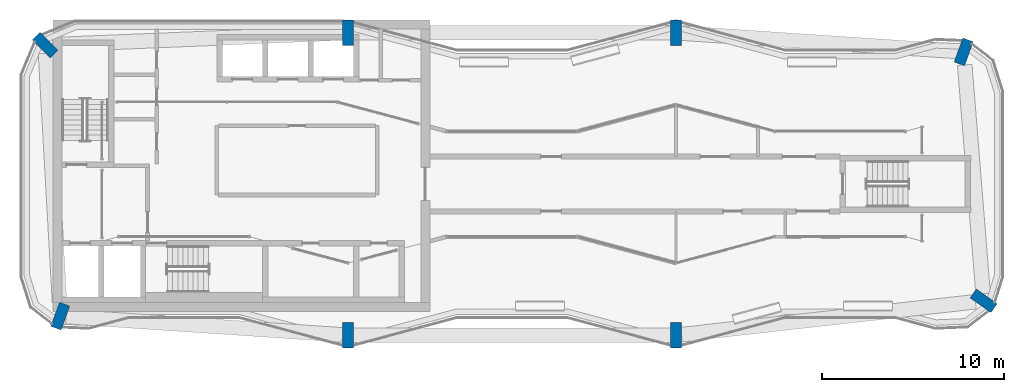
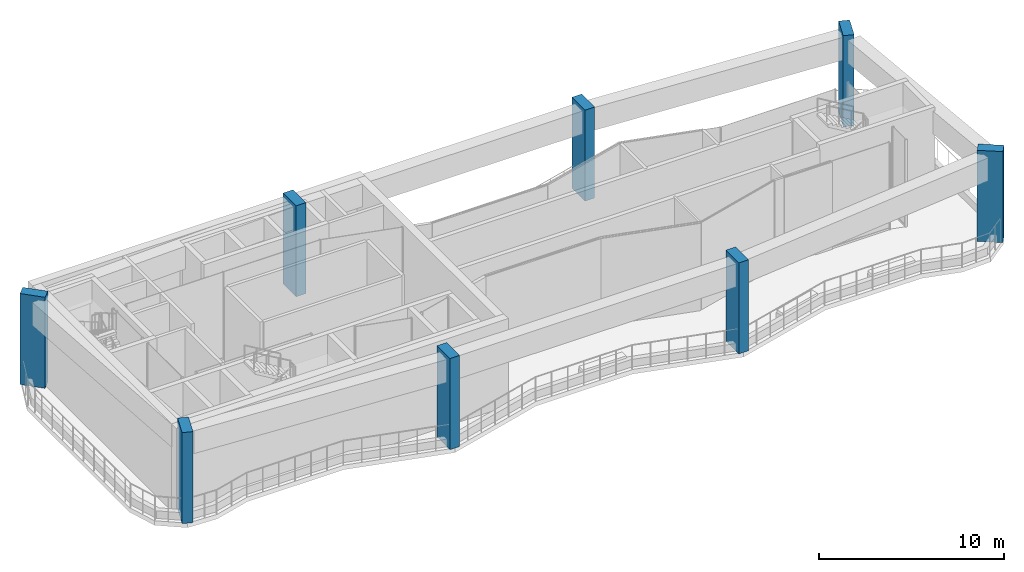
# One storey, part 1 of 12: 8 columns.
"""IFC4 building model written with IfcOpenShell, lengths in metres."""

from ifc_helpers import new_model, si_unit, direction, frame, origin, origin_2d, place, context, subcontext, project, spatial, rectangle, extrude, material, material_profile, profile_set, type_object, element, save


model = new_model("IFC4")

# Units and contexts
model_context = context("Model", 3, precision=1e-05, world=origin(), true_north=direction((0.0, 1.0)))
body_context = subcontext(model_context, "Body", "Model", "MODEL_VIEW")
ifc_project = project(units=[si_unit("LENGTHUNIT", "METRE"), si_unit("AREAUNIT", "SQUARE_METRE"), si_unit("VOLUMEUNIT", "CUBIC_METRE"), si_unit("PLANEANGLEUNIT", "RADIAN"), si_unit("MASSUNIT", "GRAM", prefix="KILO")], contexts=[model_context])

# Site, building, storey
site_placement = place(None, origin())
site = spatial("IfcSite", under=ifc_project, at=site_placement, CompositionType="ELEMENT")
building_placement = place(site_placement, origin())
building = spatial("IfcBuilding", under=site, at=building_placement, Name="Plateau Cross Towers", CompositionType="ELEMENT")
storey_placement = place(building_placement, frame((0.0, 0.0, 236.39990234375)))
storey = spatial("IfcBuildingStorey", under=building, at=storey_placement, Name="L62", CompositionType="ELEMENT", Elevation=236.39990234375)

# Columns
ifc_material = material(Name="Concrete C60/75", Category="concrete")
ifc_material_profile = material_profile(ifc_material, rectangle(XDim=0.60009765625, YDim=1.39990234375, at=origin_2d()), Name="RC 600x1400")
ifc_profile_set = profile_set([ifc_material_profile], Name="Concrete C60/75")
column_type = type_object("IfcColumnType", Name="Fin pier column RC 600x1400", PredefinedType="COLUMN", material=ifc_profile_set)
for number, where, z_axis, x_axis, name in (
    (1, (18.0, 0.699951171875, 0.0), (0.0, 0.0, 1.0), (1.0, 0.0, 0.0), "PR1 L62"),
    (2, (36.0, 0.699951171875, 0.0), (0.0, 0.0, 1.0), (1.0, 0.0, 0.0), "PR2 L62"),
    (3, (52.884033203125, 2.590087890625, 0.0), (0.0, 0.0, 1.0), (0.573542637991, 0.819175709117, 0.0), "PR3 L62"),
    (4, (51.786865234375, 16.251953125, 0.0), (0.0, 0.0, 1.0), (-0.939664280925, 0.342097996418, 0.0), "PR4 L62"),
    (5, (36.0, 17.300048828125, 0.0), (0.0, 0.0, 1.0), (1.0, 0.0, 0.0), "PR5 L62"),
    (6, (18.0, 17.300048828125, 0.0), (0.0, 0.0, 1.0), (1.0, 0.0, 0.0), "PR13 L62"),
    (7, (1.37353515625, 16.62646484375, 0.0), (0.0, 0.0, 1.0), (0.707106781187, 0.707106781187, 0.0), "PR14 L62"),
    (8, (2.213134765625, 1.748046875, 0.0), (0.0, 0.0, 1.0), (-0.939664280925, 0.342097996418, 0.0), "PR12 L62"),
):
    element("IfcColumn", number, at=place(storey_placement, frame(where, z_axis=z_axis, x_axis=x_axis)), inside=storey, type_object=column_type, Name=name, PredefinedType="COLUMN", context=body_context, shape_type="SweptSolid", body=[
        extrude(rectangle(XDim=0.60009765625, YDim=1.39990234375, at=origin_2d()), origin(), (0.0, 0.0, 1.0), 6.0),
    ])

save(model, "model.ifc")
